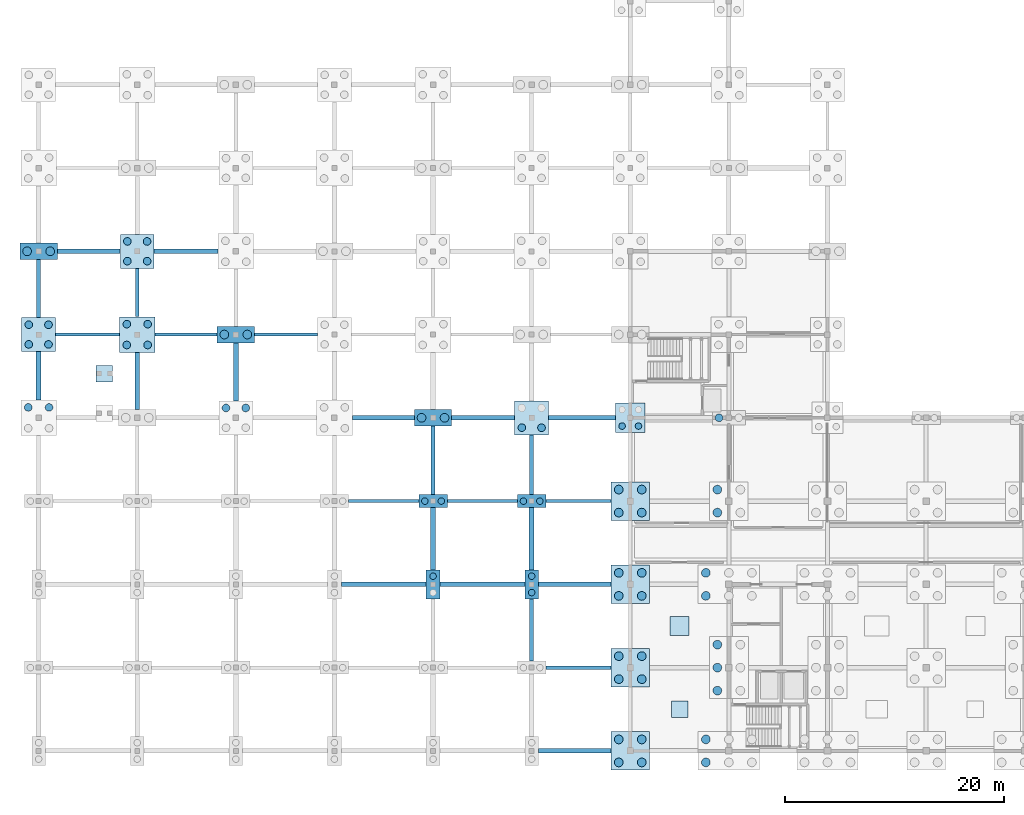
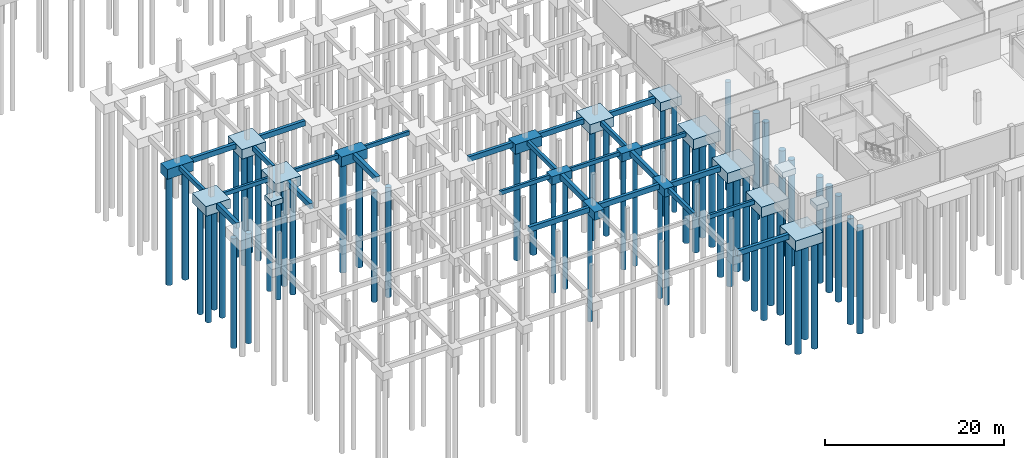
# One storey, part 2 of 28: 59 piles, 45 footings.
"""IFC4 building model written with IfcOpenShell, lengths in metres."""

from ifc_helpers import new_model, si_unit, direction, frame, origin, origin_2d, place, context, subcontext, project, spatial, rectangle, circle, extrude, material, layer, layer_set, material_profile, profile_set, type_object, element, save


model = new_model("IFC4")

# Units and contexts
model_context = context("Model", 3, precision=1e-05, world=origin(), true_north=direction((0.0, 1.0)))
body_context = subcontext(model_context, "Body", "Model", "MODEL_VIEW")
ifc_project = project(units=[si_unit("LENGTHUNIT", "METRE"), si_unit("AREAUNIT", "SQUARE_METRE"), si_unit("VOLUMEUNIT", "CUBIC_METRE"), si_unit("PLANEANGLEUNIT", "RADIAN"), si_unit("MASSUNIT", "GRAM", prefix="KILO")], contexts=[model_context])

# Site, building, storey
site_placement = place(None, origin())
site = spatial("IfcSite", under=ifc_project, at=site_placement, CompositionType="ELEMENT")
building_placement = place(site_placement, origin())
building = spatial("IfcBuilding", under=site, at=building_placement, Name="Caisbarro Railhouse Central Library", CompositionType="ELEMENT")
storey_placement = place(building_placement, frame((0.0, 0.0, -4.320068359375)))
storey = spatial("IfcBuildingStorey", under=building, at=storey_placement, Name="B01", CompositionType="ELEMENT", Elevation=-4.320068359375)

# Footings
ifc_material_1 = material(Name="Concrete C35", Category="concrete")
footing_type_1 = type_object("IfcFootingType", Name="FTG-FB01", PredefinedType="FOOTING_BEAM", material=ifc_material_1)
footing_1_placement = place(storey_placement, frame((0.0, 42.199951171875, -0.64990234375), z_axis=(0.0, 0.0, 1.0), x_axis=(0.0, 1.0, 0.0)))
element("IfcFooting", 1, at=footing_1_placement, inside=storey, type_object=footing_type_1, Name="FB01 ground tie beam 12", PredefinedType="FOOTING_BEAM", context=body_context, shape_type="SweptSolid", body=[
    extrude(rectangle(XDim=5.2958984375, YDim=0.35009765625, at=origin_2d()), origin(), (0.0, 0.0, 1.0), 0.64990234375),
])
footing_2_placement = place(storey_placement, frame((9.0, 41.83740234375, -0.64990234375), z_axis=(0.0, 0.0, 1.0), x_axis=(0.0, 1.0, 0.0)))
element("IfcFooting", 2, at=footing_2_placement, inside=storey, type_object=footing_type_1, Name="FB01 ground tie beam 36", PredefinedType="FOOTING_BEAM", context=body_context, shape_type="SweptSolid", body=[
    extrude(rectangle(XDim=4.4208984375, YDim=0.35009765625, at=origin_2d()), origin(), (0.0, 0.0, 1.0), 0.64990234375),
])
footing_3_placement = place(storey_placement, frame((36.0, 26.52490234375, -0.64990234375), z_axis=(0.0, 0.0, 1.0), x_axis=(0.0, 1.0, 0.0)))
element("IfcFooting", 3, at=footing_3_placement, inside=storey, type_object=footing_type_1, Name="FB01 ground tie beam 104", PredefinedType="FOOTING_BEAM", context=body_context, shape_type="SweptSolid", body=[
    extrude(rectangle(XDim=6.24609375, YDim=0.35009765625, at=origin_2d()), origin(), (0.0, 0.0, 1.0), 0.64990234375),
])
footing_4_placement = place(storey_placement, frame((45.0, 11.03759765625, -0.64990234375), z_axis=(0.0, 0.0, 1.0), x_axis=(0.0, 1.0, 0.0)))
element("IfcFooting", 4, at=footing_4_placement, inside=storey, type_object=footing_type_1, Name="FB01 ground tie beam 120", PredefinedType="FOOTING_BEAM", context=body_context, shape_type="SweptSolid", body=[
    extrude(rectangle(XDim=5.6708984375, YDim=0.35009765625, at=origin_2d()), origin(), (0.0, 0.0, 1.0), 0.64990234375),
])
footing_5_placement = place(storey_placement, frame((45.0, 26.125, -0.64990234375), z_axis=(0.0, 0.0, 1.0), x_axis=(0.0, 1.0, 0.0)))
element("IfcFooting", 5, at=footing_5_placement, inside=storey, type_object=footing_type_1, Name="FB01 ground tie beam 124", PredefinedType="FOOTING_BEAM", context=body_context, shape_type="SweptSolid", body=[
    extrude(rectangle(XDim=5.446044921875, YDim=0.35009765625, at=origin_2d()), origin(), (0.0, 0.0, 1.0), 0.64990234375),
])
footing_type_2 = type_object("IfcFootingType", Name="FTG-FB02", PredefinedType="FOOTING_BEAM", material=ifc_material_1)
footing_6_placement = place(storey_placement, frame((4.574951171875, 45.60009765625, -0.69970703125), z_axis=(0.0, 0.0, 1.0), x_axis=(1.0, 0.0, 0.0)))
element("IfcFooting", 6, at=footing_6_placement, inside=storey, type_object=footing_type_2, Name="FB02 ground tie beam 13", PredefinedType="FOOTING_BEAM", context=body_context, shape_type="SweptSolid", body=[
    extrude(rectangle(XDim=5.74609375, YDim=0.39990234375, at=origin_2d()), origin(), (0.0, 0.0, 1.0), 0.699951171875),
])
footing_7_placement = place(storey_placement, frame((13.46240234375, 45.60009765625, -0.69970703125), z_axis=(0.0, 0.0, 1.0), x_axis=(1.0, 0.0, 0.0)))
element("IfcFooting", 7, at=footing_7_placement, inside=storey, type_object=footing_type_2, Name="FB02 ground tie beam 37", PredefinedType="FOOTING_BEAM", context=body_context, shape_type="SweptSolid", body=[
    extrude(rectangle(XDim=5.821044921875, YDim=0.39990234375, at=origin_2d()), origin(), (0.0, 0.0, 1.0), 0.699951171875),
])
footing_8_placement = place(storey_placement, frame((31.5, 15.199951171875, -0.69970703125), z_axis=(0.0, 0.0, 1.0), x_axis=(1.0, 0.0, 0.0)))
element("IfcFooting", 8, at=footing_8_placement, inside=storey, type_object=footing_type_2, Name="FB02 ground tie beam 77", PredefinedType="FOOTING_BEAM", context=body_context, shape_type="SweptSolid", body=[
    extrude(rectangle(XDim=7.74609375, YDim=0.39990234375, at=origin_2d()), origin(), (0.0, 0.0, 1.0), 0.699951171875),
])
footing_9_placement = place(storey_placement, frame((31.46240234375, 30.39990234375, -0.69970703125), z_axis=(0.0, 0.0, 1.0), x_axis=(1.0, 0.0, 0.0)))
element("IfcFooting", 9, at=footing_9_placement, inside=storey, type_object=footing_type_2, Name="FB02 ground tie beam 81", PredefinedType="FOOTING_BEAM", context=body_context, shape_type="SweptSolid", body=[
    extrude(rectangle(XDim=5.6708984375, YDim=0.39990234375, at=origin_2d()), origin(), (0.0, 0.0, 1.0), 0.699951171875),
])
footing_10_placement = place(storey_placement, frame((40.5, 15.199951171875, -0.69970703125), z_axis=(0.0, 0.0, 1.0), x_axis=(1.0, 0.0, 0.0)))
element("IfcFooting", 10, at=footing_10_placement, inside=storey, type_object=footing_type_2, Name="FB02 ground tie beam 101", PredefinedType="FOOTING_BEAM", context=body_context, shape_type="SweptSolid", body=[
    extrude(rectangle(XDim=7.74609375, YDim=0.39990234375, at=origin_2d()), origin(), (0.0, 0.0, 1.0), 0.699951171875),
])
footing_11_placement = place(storey_placement, frame((40.574951171875, 30.39990234375, -0.69970703125), z_axis=(0.0, 0.0, 1.0), x_axis=(1.0, 0.0, 0.0)))
element("IfcFooting", 11, at=footing_11_placement, inside=storey, type_object=footing_type_2, Name="FB02 ground tie beam 105", PredefinedType="FOOTING_BEAM", context=body_context, shape_type="SweptSolid", body=[
    extrude(rectangle(XDim=5.74609375, YDim=0.39990234375, at=origin_2d()), origin(), (0.0, 0.0, 1.0), 0.699951171875),
])
for number, where, z_axis, x_axis, name in (
    (12, (48.9375, 0.0, -1.0498046875), (0.0, 0.0, 1.0), (1.0, 0.0, 0.0), "FB02 ground tie beam 117"),
    (13, (48.9375, 15.199951171875, -1.0498046875), (0.0, 0.0, 1.0), (1.0, 0.0, 0.0), "FB02 ground tie beam 121"),
):
    element("IfcFooting", number, at=place(storey_placement, frame(where, z_axis=z_axis, x_axis=x_axis)), inside=storey, type_object=footing_type_2, Name=name, PredefinedType="FOOTING_BEAM", context=body_context, shape_type="SweptSolid", body=[
        extrude(rectangle(XDim=6.62109375, YDim=0.39990234375, at=origin_2d()), origin(), (0.0, 0.0, 1.0), 0.699951171875),
    ])
footing_12_placement = place(storey_placement, frame((49.60009765625, 30.39990234375, -1.0498046875), z_axis=(0.0, 0.0, 1.0), x_axis=(1.0, 0.0, 0.0)))
element("IfcFooting", 14, at=footing_12_placement, inside=storey, type_object=footing_type_2, Name="FB02 ground tie beam 125", PredefinedType="FOOTING_BEAM", context=body_context, shape_type="SweptSolid", body=[
    extrude(rectangle(XDim=6.095947265625, YDim=0.39990234375, at=origin_2d()), origin(), (0.0, 0.0, 1.0), 0.699951171875),
])
footing_type_3 = type_object("IfcFootingType", Name="FTG-FB03", PredefinedType="FOOTING_BEAM", material=ifc_material_1)
footing_13_placement = place(storey_placement, frame((0.0, 34.237548828125, -0.75), z_axis=(0.0, 0.0, 1.0), x_axis=(0.0, 1.0, 0.0)))
element("IfcFooting", 15, at=footing_13_placement, inside=storey, type_object=footing_type_3, Name="FB03 ground tie beam 10", PredefinedType="FOOTING_BEAM", context=body_context, shape_type="SweptSolid", body=[
    extrude(rectangle(XDim=4.4208984375, YDim=0.449951171875, at=origin_2d()), origin(), (0.0, 0.0, 1.0), 0.75),
])
footing_14_placement = place(storey_placement, frame((9.0, 33.762451171875, -0.75), z_axis=(0.0, 0.0, 1.0), x_axis=(0.0, 1.0, 0.0)))
element("IfcFooting", 16, at=footing_14_placement, inside=storey, type_object=footing_type_3, Name="FB03 ground tie beam 34", PredefinedType="FOOTING_BEAM", context=body_context, shape_type="SweptSolid", body=[
    extrude(rectangle(XDim=5.220947265625, YDim=0.449951171875, at=origin_2d()), origin(), (0.0, 0.0, 1.0), 0.75),
])
footing_15_placement = place(storey_placement, frame((18.0, 34.60009765625, -0.75), z_axis=(0.0, 0.0, 1.0), x_axis=(0.0, 1.0, 0.0)))
element("IfcFooting", 17, at=footing_15_placement, inside=storey, type_object=footing_type_3, Name="FB03 ground tie beam 58", PredefinedType="FOOTING_BEAM", context=body_context, shape_type="SweptSolid", body=[
    extrude(rectangle(XDim=5.2958984375, YDim=0.449951171875, at=origin_2d()), origin(), (0.0, 0.0, 1.0), 0.75),
])
for number, where, z_axis, x_axis, name in (
    (18, (36.0, 19.362548828125, -0.75), (0.0, 0.0, 1.0), (0.0, 1.0, 0.0), "FB03 ground tie beam 102"),
    (19, (45.0, 19.362548828125, -0.75), (0.0, 0.0, 1.0), (0.0, 1.0, 0.0), "FB03 ground tie beam 122"),
):
    element("IfcFooting", number, at=place(storey_placement, frame(where, z_axis=z_axis, x_axis=x_axis)), inside=storey, type_object=footing_type_3, Name=name, PredefinedType="FOOTING_BEAM", context=body_context, shape_type="SweptSolid", body=[
        extrude(rectangle(XDim=5.6708984375, YDim=0.449951171875, at=origin_2d()), origin(), (0.0, 0.0, 1.0), 0.75),
    ])
footing_type_4 = type_object("IfcFootingType", Name="FTG-FB04", PredefinedType="FOOTING_BEAM", material=ifc_material_1)
footing_16_placement = place(storey_placement, frame((4.46240234375, 38.0, -0.5498046875), z_axis=(0.0, 0.0, 1.0), x_axis=(1.0, 0.0, 0.0)))
element("IfcFooting", 20, at=footing_16_placement, inside=storey, type_object=footing_type_4, Name="FB04 ground tie beam 11", PredefinedType="FOOTING_BEAM", context=body_context, shape_type="SweptSolid", body=[
    extrude(rectangle(XDim=5.821044921875, YDim=0.300048828125, at=origin_2d()), origin(), (0.0, 0.0, 1.0), 0.550048828125),
])
footing_17_placement = place(storey_placement, frame((13.46240234375, 38.0, -0.5498046875), z_axis=(0.0, 0.0, 1.0), x_axis=(1.0, 0.0, 0.0)))
element("IfcFooting", 21, at=footing_17_placement, inside=storey, type_object=footing_type_4, Name="FB04 ground tie beam 35", PredefinedType="FOOTING_BEAM", context=body_context, shape_type="SweptSolid", body=[
    extrude(rectangle(XDim=5.6708984375, YDim=0.300048828125, at=origin_2d()), origin(), (0.0, 0.0, 1.0), 0.550048828125),
])
footing_18_placement = place(storey_placement, frame((22.574951171875, 38.0, -0.5498046875), z_axis=(0.0, 0.0, 1.0), x_axis=(1.0, 0.0, 0.0)))
element("IfcFooting", 22, at=footing_18_placement, inside=storey, type_object=footing_type_4, Name="FB04 ground tie beam 59", PredefinedType="FOOTING_BEAM", context=body_context, shape_type="SweptSolid", body=[
    extrude(rectangle(XDim=5.74609375, YDim=0.300048828125, at=origin_2d()), origin(), (0.0, 0.0, 1.0), 0.550048828125),
])
for number, where, z_axis, x_axis, name in (
    (23, (31.5, 22.800048828125, -0.5498046875), (0.0, 0.0, 1.0), (1.0, 0.0, 0.0), "FB04 ground tie beam 79"),
    (24, (40.5, 22.800048828125, -0.5498046875), (0.0, 0.0, 1.0), (1.0, 0.0, 0.0), "FB04 ground tie beam 103"),
):
    element("IfcFooting", number, at=place(storey_placement, frame(where, z_axis=z_axis, x_axis=x_axis)), inside=storey, type_object=footing_type_4, Name=name, PredefinedType="FOOTING_BEAM", context=body_context, shape_type="SweptSolid", body=[
        extrude(rectangle(XDim=6.39599609375, YDim=0.300048828125, at=origin_2d()), origin(), (0.0, 0.0, 1.0), 0.550048828125),
    ])
for number, where, z_axis, x_axis, name in (
    (25, (49.27490234375, 7.60009765625, -0.89990234375), (0.0, 0.0, 1.0), (1.0, 0.0, 0.0), "FB04 ground tie beam 119"),
    (26, (49.27490234375, 22.800048828125, -0.89990234375), (0.0, 0.0, 1.0), (1.0, 0.0, 0.0), "FB04 ground tie beam 123"),
):
    element("IfcFooting", number, at=place(storey_placement, frame(where, z_axis=z_axis, x_axis=x_axis)), inside=storey, type_object=footing_type_4, Name=name, PredefinedType="FOOTING_BEAM", context=body_context, shape_type="SweptSolid", body=[
        extrude(rectangle(XDim=5.946044921875, YDim=0.300048828125, at=origin_2d()), origin(), (0.0, 0.0, 1.0), 0.550048828125),
    ])
ifc_material_2 = material(Name="Concrete C40", Category="concrete")
ifc_layer_1 = layer(ifc_material_2, 1.10009765625, Name="Concrete C40")
ifc_layer_set_1 = layer_set([ifc_layer_1], Name="Concrete C40")
footing_type_5 = type_object("IfcFootingType", Name="FTG-PC02", PredefinedType="PILE_CAP", material=ifc_layer_set_1)
for number, where, z_axis, x_axis, name in (
    (27, (36.0, 22.800048828125, -1.10009765625), (0.0, 0.0, 1.0), (1.0, 0.0, 0.0), "PC02 pile cap (60)"),
    (28, (45.0, 22.800048828125, -1.10009765625), (0.0, 0.0, 1.0), (1.0, 0.0, 0.0), "PC02 pile cap (74)"),
):
    element("IfcFooting", number, at=place(storey_placement, frame(where, z_axis=z_axis, x_axis=x_axis)), inside=storey, type_object=footing_type_5, Name=name, PredefinedType="PILE_CAP", context=body_context, shape_type="SweptSolid", body=[
        extrude(rectangle(XDim=2.60009765625, YDim=1.199951171875, at=origin_2d()), origin(), (0.0, 0.0, 1.0), 1.10009765625),
    ])
ifc_layer_2 = layer(ifc_material_2, 1.1201171875, Name="Concrete C40")
ifc_layer_set_2 = layer_set([ifc_layer_2], Name="Concrete C40")
footing_type_6 = type_object("IfcFootingType", Name="FTG-PC03", PredefinedType="PILE_CAP", material=ifc_layer_set_2)
for number, where, z_axis, x_axis, name in (
    (29, (36.0, 15.199951171875, -1.119873046875), (0.0, 0.0, 1.0), (1.0, 0.0, 0.0), "PC03 pile cap (59)"),
    (30, (45.0, 15.199951171875, -1.119873046875), (0.0, 0.0, 1.0), (1.0, 0.0, 0.0), "PC03 pile cap (73)"),
):
    element("IfcFooting", number, at=place(storey_placement, frame(where, z_axis=z_axis, x_axis=x_axis)), inside=storey, type_object=footing_type_6, Name=name, PredefinedType="PILE_CAP", context=body_context, shape_type="SweptSolid", body=[
        extrude(rectangle(XDim=1.25, YDim=2.64990234375, at=origin_2d()), origin(), (0.0, 0.0, 1.0), 1.1201171875),
    ])
ifc_layer_3 = layer(ifc_material_2, 1.199951171875, Name="Concrete C40")
ifc_layer_set_3 = layer_set([ifc_layer_3], Name="Concrete C40")
footing_type_7 = type_object("IfcFootingType", Name="FTG-PC04", PredefinedType="PILE_CAP", material=ifc_layer_set_3)
footing_19_placement = place(storey_placement, frame((54.0, 30.39990234375, -1.5498046875), z_axis=(0.0, 0.0, 1.0), x_axis=(1.0, 0.0, 0.0)))
element("IfcFooting", 31, at=footing_19_placement, inside=storey, type_object=footing_type_7, Name="PC04 pile cap (84)", PredefinedType="PILE_CAP", context=body_context, shape_type="SweptSolid", body=[
    extrude(rectangle(XDim=2.699951171875, YDim=2.699951171875, at=origin_2d()), origin(), (0.0, 0.0, 1.0), 1.199951171875),
])
ifc_layer_4 = layer(ifc_material_2, 1.300048828125, Name="Concrete C40")
ifc_layer_set_4 = layer_set([ifc_layer_4], Name="Concrete C40")
footing_type_8 = type_object("IfcFootingType", Name="FTG-PC06", PredefinedType="PILE_CAP", material=ifc_layer_set_4)
for number, where, z_axis, x_axis, name in (
    (32, (0.0, 38.0, -1.2998046875), (0.0, 0.0, 1.0), (1.0, 0.0, 0.0), "PC06 pile cap (6)"),
    (33, (9.0, 45.60009765625, -1.2998046875), (0.0, 0.0, 1.0), (1.0, 0.0, 0.0), "PC06 pile cap (21)"),
    (34, (45.0, 30.39990234375, -1.2998046875), (0.0, 0.0, 1.0), (1.0, 0.0, 0.0), "PC06 pile cap (75)"),
):
    element("IfcFooting", number, at=place(storey_placement, frame(where, z_axis=z_axis, x_axis=x_axis)), inside=storey, type_object=footing_type_8, Name=name, PredefinedType="PILE_CAP", context=body_context, shape_type="SweptSolid", body=[
        extrude(rectangle(XDim=3.10009765625, YDim=3.10009765625, at=origin_2d()), origin(), (0.0, 0.0, 1.0), 1.300048828125),
    ])
ifc_layer_5 = layer(ifc_material_2, 1.320068359375, Name="Concrete C40")
ifc_layer_set_5 = layer_set([ifc_layer_5], Name="Concrete C40")
footing_type_9 = type_object("IfcFootingType", Name="FTG-PC07", PredefinedType="PILE_CAP", material=ifc_layer_set_5)
for number, where, z_axis, x_axis, name in (
    (35, (0.0, 45.60009765625, -1.31982421875), (0.0, 0.0, 1.0), (1.0, 0.0, 0.0), "PC07 pile cap (7)"),
    (36, (18.0, 38.0, -1.31982421875), (0.0, 0.0, 1.0), (1.0, 0.0, 0.0), "PC07 pile cap (34)"),
    (37, (36.0, 30.39990234375, -1.31982421875), (0.0, 0.0, 1.0), (1.0, 0.0, 0.0), "PC07 pile cap (61)"),
):
    element("IfcFooting", number, at=place(storey_placement, frame(where, z_axis=z_axis, x_axis=x_axis)), inside=storey, type_object=footing_type_9, Name=name, PredefinedType="PILE_CAP", context=body_context, shape_type="SweptSolid", body=[
        extrude(rectangle(XDim=3.39990234375, YDim=1.5, at=origin_2d()), origin(), (0.0, 0.0, 1.0), 1.320068359375),
    ])
ifc_layer_6 = layer(ifc_material_2, 1.39990234375, Name="Concrete C40")
ifc_layer_set_6 = layer_set([ifc_layer_6], Name="Concrete C40")
footing_type_10 = type_object("IfcFootingType", Name="FTG-PC08", PredefinedType="PILE_CAP", material=ifc_layer_set_6)
for number, where, z_axis, x_axis, name in (
    (38, (54.0, 0.0, -1.75), (0.0, 0.0, 1.0), (1.0, 0.0, 0.0), "PC08 pile cap (80)"),
    (39, (54.0, 7.60009765625, -1.75), (0.0, 0.0, 1.0), (1.0, 0.0, 0.0), "PC08 pile cap (81)"),
    (40, (54.0, 15.199951171875, -1.75), (0.0, 0.0, 1.0), (1.0, 0.0, 0.0), "PC08 pile cap (82)"),
    (41, (54.0, 22.800048828125, -1.75), (0.0, 0.0, 1.0), (1.0, 0.0, 0.0), "PC08 pile cap (83)"),
):
    element("IfcFooting", number, at=place(storey_placement, frame(where, z_axis=z_axis, x_axis=x_axis)), inside=storey, type_object=footing_type_10, Name=name, PredefinedType="PILE_CAP", context=body_context, shape_type="SweptSolid", body=[
        extrude(rectangle(XDim=3.5, YDim=3.5, at=origin_2d()), origin(), (0.0, 0.0, 1.0), 1.39990234375),
    ])
ifc_layer_7 = layer(ifc_material_2, 1.340087890625, Name="Concrete C40")
ifc_layer_set_7 = layer_set([ifc_layer_7], Name="Concrete C40")
footing_type_11 = type_object("IfcFootingType", Name="FTG-PC14", PredefinedType="PILE_CAP", material=ifc_layer_set_7)
footing_20_placement = place(storey_placement, frame((9.0, 38.0, -1.33984375), z_axis=(0.0, 0.0, 1.0), x_axis=(1.0, 0.0, 0.0)))
element("IfcFooting", 42, at=footing_20_placement, inside=storey, type_object=footing_type_11, Name="PC14 pile cap (20)", PredefinedType="PILE_CAP", context=body_context, shape_type="SweptSolid", body=[
    extrude(rectangle(XDim=3.25, YDim=3.25, at=origin_2d()), origin(), (0.0, 0.0, 1.0), 1.340087890625),
])
ifc_layer_8 = layer(ifc_material_2, 0.699951171875, Name="Concrete C40")
ifc_layer_set_8 = layer_set([ifc_layer_8], Name="Concrete C40")
footing_type_12 = type_object("IfcFootingType", Name="FTG-PF01", PredefinedType="PAD_FOOTING", material=ifc_layer_set_8)
for number, where, z_axis, x_axis, name in (
    (43, (58.5, 3.800048828125, -1.0498046875), (0.0, 0.0, 1.0), (1.0, 0.0, 0.0), "PF01 equipment pad footing 1"),
    (44, (6.0, 34.429931640625, -0.69970703125), (0.0, 0.0, 1.0), (1.0, 0.0, 0.0), "PF01 Stair Support Pad Footing K6 N"),
):
    element("IfcFooting", number, at=place(storey_placement, frame(where, z_axis=z_axis, x_axis=x_axis)), inside=storey, type_object=footing_type_12, Name=name, PredefinedType="PAD_FOOTING", context=body_context, shape_type="SweptSolid", body=[
        extrude(rectangle(XDim=1.5, YDim=1.5, at=origin_2d()), origin(), (0.0, 0.0, 1.0), 0.699951171875),
    ])
ifc_layer_9 = layer(ifc_material_2, 0.800048828125, Name="Concrete C40")
ifc_layer_set_9 = layer_set([ifc_layer_9], Name="Concrete C40")
footing_type_13 = type_object("IfcFootingType", Name="FTG-PF02", PredefinedType="PAD_FOOTING", material=ifc_layer_set_9)
footing_21_placement = place(storey_placement, frame((58.5, 11.39990234375, -1.14990234375), z_axis=(0.0, 0.0, 1.0), x_axis=(1.0, 0.0, 0.0)))
element("IfcFooting", 45, at=footing_21_placement, inside=storey, type_object=footing_type_13, Name="PF02 equipment pad footing 2", PredefinedType="PAD_FOOTING", context=body_context, shape_type="SweptSolid", body=[
    extrude(rectangle(XDim=1.75, YDim=1.75, at=origin_2d()), origin(), (0.0, 0.0, 1.0), 0.800048828125),
])

# Piles
ifc_material_profile_1 = material_profile(ifc_material_1, circle(Radius=0.300048828125, at=origin_2d()), Name="PILE-CFA-600")
ifc_profile_set_1 = profile_set([ifc_material_profile_1], Name="Concrete C35")
pile_type_1 = type_object("IfcPileType", Name="PILE-CFA600", PredefinedType="BORED", material=ifc_profile_set_1)
pile_1_placement = place(storey_placement, frame((36.0, 15.949951171875, -1.02001953125), z_axis=(0.0, 0.0, -1.0), x_axis=(1.0, 0.0, 0.0)))
element("IfcPile", 46, at=pile_1_placement, inside=storey, type_object=pile_type_1, Name="PL60 CFA bored pile 59.2", PredefinedType="BORED", context=body_context, shape_type="SweptSolid", body=[
    extrude(circle(Radius=0.300048828125, at=origin_2d()), origin(), (0.0, 0.0, 1.0), 15.159912109375),
])
for number, where, z_axis, x_axis, name in (
    (47, (35.25, 22.800048828125, -1.0), (0.0, 0.0, -1.0), (1.0, 0.0, 0.0), "PL60 CFA bored pile 60.1"),
    (48, (36.75, 22.800048828125, -1.0), (0.0, 0.0, -1.0), (1.0, 0.0, 0.0), "PL60 CFA bored pile 60.2"),
):
    element("IfcPile", number, at=place(storey_placement, frame(where, z_axis=z_axis, x_axis=x_axis)), inside=storey, type_object=pile_type_1, Name=name, PredefinedType="BORED", context=body_context, shape_type="SweptSolid", body=[
        extrude(circle(Radius=0.300048828125, at=origin_2d()), origin(), (0.0, 0.0, 1.0), 15.179931640625),
    ])
for number, where, z_axis, x_axis, name in (
    (49, (45.0, 14.449951171875, -1.02001953125), (0.0, 0.0, -1.0), (1.0, 0.0, 0.0), "PL60 CFA bored pile 73.1"),
    (50, (45.0, 15.949951171875, -1.02001953125), (0.0, 0.0, -1.0), (1.0, 0.0, 0.0), "PL60 CFA bored pile 73.2"),
):
    element("IfcPile", number, at=place(storey_placement, frame(where, z_axis=z_axis, x_axis=x_axis)), inside=storey, type_object=pile_type_1, Name=name, PredefinedType="BORED", context=body_context, shape_type="SweptSolid", body=[
        extrude(circle(Radius=0.300048828125, at=origin_2d()), origin(), (0.0, 0.0, 1.0), 15.159912109375),
    ])
for number, where, z_axis, x_axis, name in (
    (51, (44.25, 22.800048828125, -1.0), (0.0, 0.0, -1.0), (1.0, 0.0, 0.0), "PL60 CFA bored pile 74.1"),
    (52, (45.75, 22.800048828125, -1.0), (0.0, 0.0, -1.0), (1.0, 0.0, 0.0), "PL60 CFA bored pile 74.2"),
):
    element("IfcPile", number, at=place(storey_placement, frame(where, z_axis=z_axis, x_axis=x_axis)), inside=storey, type_object=pile_type_1, Name=name, PredefinedType="BORED", context=body_context, shape_type="SweptSolid", body=[
        extrude(circle(Radius=0.300048828125, at=origin_2d()), origin(), (0.0, 0.0, 1.0), 15.179931640625),
    ])
for number, where, z_axis, x_axis, name in (
    (53, (53.25, 29.64990234375, -1.449951171875), (0.0, 0.0, -1.0), (1.0, 0.0, 0.0), "PL60 CFA bored pile 84.1"),
    (54, (54.75, 29.64990234375, -1.449951171875), (0.0, 0.0, -1.0), (1.0, 0.0, 0.0), "PL60 CFA bored pile 84.2"),
):
    element("IfcPile", number, at=place(storey_placement, frame(where, z_axis=z_axis, x_axis=x_axis)), inside=storey, type_object=pile_type_1, Name=name, PredefinedType="BORED", context=body_context, shape_type="SweptSolid", body=[
        extrude(circle(Radius=0.300048828125, at=origin_2d()), origin(), (0.0, 0.0, 1.0), 14.72998046875),
    ])
ifc_material_profile_2 = material_profile(ifc_material_1, circle(Radius=0.35009765625, at=origin_2d()), Name="PILE-CFA-700")
ifc_profile_set_2 = profile_set([ifc_material_profile_2], Name="Concrete C35")
pile_type_2 = type_object("IfcPileType", Name="PILE-CFA700", PredefinedType="BORED", material=ifc_profile_set_2)
for number, where, z_axis, x_axis, name in (
    (55, (-0.949951171875, 31.35009765625, -1.239990234375), (0.0, 0.0, -1.0), (1.0, 0.0, 0.0), "PL70 CFA bored pile 5.3"),
    (56, (0.949951171875, 31.35009765625, -1.239990234375), (0.0, 0.0, -1.0), (1.0, 0.0, 0.0), "PL70 CFA bored pile 5.4"),
):
    element("IfcPile", number, at=place(storey_placement, frame(where, z_axis=z_axis, x_axis=x_axis)), inside=storey, type_object=pile_type_2, Name=name, PredefinedType="BORED", context=body_context, shape_type="SweptSolid", body=[
        extrude(circle(Radius=0.35009765625, at=origin_2d()), origin(), (0.0, 0.0, 1.0), 14.93994140625),
    ])
for number, where, z_axis, x_axis, name in (
    (57, (-0.89990234375, 37.10009765625, -1.199951171875), (0.0, 0.0, -1.0), (1.0, 0.0, 0.0), "PL70 CFA bored pile 6.1"),
    (58, (0.89990234375, 37.10009765625, -1.199951171875), (0.0, 0.0, -1.0), (1.0, 0.0, 0.0), "PL70 CFA bored pile 6.2"),
    (59, (-0.89990234375, 38.89990234375, -1.199951171875), (0.0, 0.0, -1.0), (1.0, 0.0, 0.0), "PL70 CFA bored pile 6.3"),
    (60, (0.89990234375, 38.89990234375, -1.199951171875), (0.0, 0.0, -1.0), (1.0, 0.0, 0.0), "PL70 CFA bored pile 6.4"),
):
    element("IfcPile", number, at=place(storey_placement, frame(where, z_axis=z_axis, x_axis=x_axis)), inside=storey, type_object=pile_type_2, Name=name, PredefinedType="BORED", context=body_context, shape_type="SweptSolid", body=[
        extrude(circle(Radius=0.35009765625, at=origin_2d()), origin(), (0.0, 0.0, 1.0), 14.97998046875),
    ])
for number, where, z_axis, x_axis, name in (
    (61, (8.050048828125, 37.050048828125, -1.239990234375), (0.0, 0.0, -1.0), (1.0, 0.0, 0.0), "PL70 CFA bored pile 20.1"),
    (62, (9.949951171875, 37.050048828125, -1.239990234375), (0.0, 0.0, -1.0), (1.0, 0.0, 0.0), "PL70 CFA bored pile 20.2"),
    (63, (8.050048828125, 38.949951171875, -1.239990234375), (0.0, 0.0, -1.0), (1.0, 0.0, 0.0), "PL70 CFA bored pile 20.3"),
    (64, (9.949951171875, 38.949951171875, -1.239990234375), (0.0, 0.0, -1.0), (1.0, 0.0, 0.0), "PL70 CFA bored pile 20.4"),
):
    element("IfcPile", number, at=place(storey_placement, frame(where, z_axis=z_axis, x_axis=x_axis)), inside=storey, type_object=pile_type_2, Name=name, PredefinedType="BORED", context=body_context, shape_type="SweptSolid", body=[
        extrude(circle(Radius=0.35009765625, at=origin_2d()), origin(), (0.0, 0.0, 1.0), 14.93994140625),
    ])
for number, where, z_axis, x_axis, name in (
    (65, (8.10009765625, 44.699951171875, -1.199951171875), (0.0, 0.0, -1.0), (1.0, 0.0, 0.0), "PL70 CFA bored pile 21.1"),
    (66, (9.89990234375, 44.699951171875, -1.199951171875), (0.0, 0.0, -1.0), (1.0, 0.0, 0.0), "PL70 CFA bored pile 21.2"),
    (67, (8.10009765625, 46.5, -1.199951171875), (0.0, 0.0, -1.0), (1.0, 0.0, 0.0), "PL70 CFA bored pile 21.3"),
    (68, (9.89990234375, 46.5, -1.199951171875), (0.0, 0.0, -1.0), (1.0, 0.0, 0.0), "PL70 CFA bored pile 21.4"),
    (69, (17.10009765625, 31.300048828125, -1.199951171875), (0.0, 0.0, -1.0), (1.0, 0.0, 0.0), "PL70 CFA bored pile 33.3"),
    (70, (18.89990234375, 31.300048828125, -1.199951171875), (0.0, 0.0, -1.0), (1.0, 0.0, 0.0), "PL70 CFA bored pile 33.4"),
    (71, (44.10009765625, 29.5, -1.199951171875), (0.0, 0.0, -1.0), (1.0, 0.0, 0.0), "PL70 CFA bored pile 75.1"),
    (72, (45.89990234375, 29.5, -1.199951171875), (0.0, 0.0, -1.0), (1.0, 0.0, 0.0), "PL70 CFA bored pile 75.2"),
):
    element("IfcPile", number, at=place(storey_placement, frame(where, z_axis=z_axis, x_axis=x_axis)), inside=storey, type_object=pile_type_2, Name=name, PredefinedType="BORED", context=body_context, shape_type="SweptSolid", body=[
        extrude(circle(Radius=0.35009765625, at=origin_2d()), origin(), (0.0, 0.0, 1.0), 14.97998046875),
    ])
pile_2_placement = place(storey_placement, frame((62.10009765625, 30.39990234375, -1.469970703125), z_axis=(0.0, 0.0, -1.0), x_axis=(1.0, 0.0, 0.0)))
element("IfcPile", 73, at=pile_2_placement, inside=storey, type_object=pile_type_2, Name="PL70 CFA bored pile 100.1", PredefinedType="BORED", context=body_context, shape_type="SweptSolid", body=[
    extrude(circle(Radius=0.35009765625, at=origin_2d()), origin(), (0.0, 0.0, 1.0), 14.7099609375),
])
ifc_material_profile_3 = material_profile(ifc_material_1, circle(Radius=0.39990234375, at=origin_2d()), Name="PILE-CFA-800")
ifc_profile_set_3 = profile_set([ifc_material_profile_3], Name="Concrete C35")
pile_type_3 = type_object("IfcPileType", Name="PILE-CFA800", PredefinedType="BORED", material=ifc_profile_set_3)
for number, where, z_axis, x_axis, name in (
    (74, (-1.050048828125, 45.60009765625, -1.219970703125), (0.0, 0.0, -1.0), (1.0, 0.0, 0.0), "PL80 CFA bored pile 7.1"),
    (75, (1.050048828125, 45.60009765625, -1.219970703125), (0.0, 0.0, -1.0), (1.0, 0.0, 0.0), "PL80 CFA bored pile 7.2"),
    (76, (16.949951171875, 38.0, -1.219970703125), (0.0, 0.0, -1.0), (1.0, 0.0, 0.0), "PL80 CFA bored pile 34.1"),
    (77, (19.050048828125, 38.0, -1.219970703125), (0.0, 0.0, -1.0), (1.0, 0.0, 0.0), "PL80 CFA bored pile 34.2"),
    (78, (34.949951171875, 30.39990234375, -1.219970703125), (0.0, 0.0, -1.0), (1.0, 0.0, 0.0), "PL80 CFA bored pile 61.1"),
    (79, (37.050048828125, 30.39990234375, -1.219970703125), (0.0, 0.0, -1.0), (1.0, 0.0, 0.0), "PL80 CFA bored pile 61.2"),
):
    element("IfcPile", number, at=place(storey_placement, frame(where, z_axis=z_axis, x_axis=x_axis)), inside=storey, type_object=pile_type_3, Name=name, PredefinedType="BORED", context=body_context, shape_type="SweptSolid", body=[
        extrude(circle(Radius=0.39990234375, at=origin_2d()), origin(), (0.0, 0.0, 1.0), 14.9599609375),
    ])
for number, where, z_axis, x_axis, name in (
    (80, (52.949951171875, -1.050048828125, -1.64990234375), (0.0, 0.0, -1.0), (1.0, 0.0, 0.0), "PL80 CFA bored pile 80.1"),
    (81, (55.050048828125, -1.050048828125, -1.64990234375), (0.0, 0.0, -1.0), (1.0, 0.0, 0.0), "PL80 CFA bored pile 80.2"),
    (82, (52.949951171875, 1.050048828125, -1.64990234375), (0.0, 0.0, -1.0), (1.0, 0.0, 0.0), "PL80 CFA bored pile 80.3"),
    (83, (55.050048828125, 1.050048828125, -1.64990234375), (0.0, 0.0, -1.0), (1.0, 0.0, 0.0), "PL80 CFA bored pile 80.4"),
    (84, (52.949951171875, 6.550048828125, -1.64990234375), (0.0, 0.0, -1.0), (1.0, 0.0, 0.0), "PL80 CFA bored pile 81.1"),
    (85, (55.050048828125, 6.550048828125, -1.64990234375), (0.0, 0.0, -1.0), (1.0, 0.0, 0.0), "PL80 CFA bored pile 81.2"),
    (86, (52.949951171875, 8.64990234375, -1.64990234375), (0.0, 0.0, -1.0), (1.0, 0.0, 0.0), "PL80 CFA bored pile 81.3"),
    (87, (55.050048828125, 8.64990234375, -1.64990234375), (0.0, 0.0, -1.0), (1.0, 0.0, 0.0), "PL80 CFA bored pile 81.4"),
    (88, (52.949951171875, 14.14990234375, -1.64990234375), (0.0, 0.0, -1.0), (1.0, 0.0, 0.0), "PL80 CFA bored pile 82.1"),
    (89, (55.050048828125, 14.14990234375, -1.64990234375), (0.0, 0.0, -1.0), (1.0, 0.0, 0.0), "PL80 CFA bored pile 82.2"),
    (90, (52.949951171875, 16.25, -1.64990234375), (0.0, 0.0, -1.0), (1.0, 0.0, 0.0), "PL80 CFA bored pile 82.3"),
    (91, (55.050048828125, 16.25, -1.64990234375), (0.0, 0.0, -1.0), (1.0, 0.0, 0.0), "PL80 CFA bored pile 82.4"),
    (92, (52.949951171875, 21.75, -1.64990234375), (0.0, 0.0, -1.0), (1.0, 0.0, 0.0), "PL80 CFA bored pile 83.1"),
    (93, (55.050048828125, 21.75, -1.64990234375), (0.0, 0.0, -1.0), (1.0, 0.0, 0.0), "PL80 CFA bored pile 83.2"),
    (94, (52.949951171875, 23.85009765625, -1.64990234375), (0.0, 0.0, -1.0), (1.0, 0.0, 0.0), "PL80 CFA bored pile 83.3"),
    (95, (55.050048828125, 23.85009765625, -1.64990234375), (0.0, 0.0, -1.0), (1.0, 0.0, 0.0), "PL80 CFA bored pile 83.4"),
):
    element("IfcPile", number, at=place(storey_placement, frame(where, z_axis=z_axis, x_axis=x_axis)), inside=storey, type_object=pile_type_3, Name=name, PredefinedType="BORED", context=body_context, shape_type="SweptSolid", body=[
        extrude(circle(Radius=0.39990234375, at=origin_2d()), origin(), (0.0, 0.0, 1.0), 14.530029296875),
    ])
for number, where, z_axis, x_axis, name in (
    (96, (60.89990234375, -1.050048828125, -1.75), (0.0, 0.0, -1.0), (1.0, 0.0, 0.0), "PL80 CFA bored pile 96.1"),
    (97, (60.89990234375, 1.050048828125, -1.75), (0.0, 0.0, -1.0), (1.0, 0.0, 0.0), "PL80 CFA bored pile 96.4"),
):
    element("IfcPile", number, at=place(storey_placement, frame(where, z_axis=z_axis, x_axis=x_axis)), inside=storey, type_object=pile_type_3, Name=name, PredefinedType="BORED", context=body_context, shape_type="SweptSolid", body=[
        extrude(circle(Radius=0.39990234375, at=origin_2d()), origin(), (0.0, 0.0, 1.0), 14.429931640625),
    ])
for number, where, z_axis, x_axis, name in (
    (98, (61.949951171875, 5.5, -1.77001953125), (0.0, 0.0, -1.0), (1.0, 0.0, 0.0), "PL80 CFA bored pile 97.1"),
    (99, (61.949951171875, 7.60009765625, -1.77001953125), (0.0, 0.0, -1.0), (1.0, 0.0, 0.0), "PL80 CFA bored pile 97.3"),
    (100, (61.949951171875, 9.699951171875, -1.77001953125), (0.0, 0.0, -1.0), (1.0, 0.0, 0.0), "PL80 CFA bored pile 97.5"),
):
    element("IfcPile", number, at=place(storey_placement, frame(where, z_axis=z_axis, x_axis=x_axis)), inside=storey, type_object=pile_type_3, Name=name, PredefinedType="BORED", context=body_context, shape_type="SweptSolid", body=[
        extrude(circle(Radius=0.39990234375, at=origin_2d()), origin(), (0.0, 0.0, 1.0), 14.409912109375),
    ])
for number, where, z_axis, x_axis, name in (
    (101, (60.89990234375, 14.14990234375, -1.75), (0.0, 0.0, -1.0), (1.0, 0.0, 0.0), "PL80 CFA bored pile 98.1"),
    (102, (60.89990234375, 16.25, -1.75), (0.0, 0.0, -1.0), (1.0, 0.0, 0.0), "PL80 CFA bored pile 98.4"),
):
    element("IfcPile", number, at=place(storey_placement, frame(where, z_axis=z_axis, x_axis=x_axis)), inside=storey, type_object=pile_type_3, Name=name, PredefinedType="BORED", context=body_context, shape_type="SweptSolid", body=[
        extrude(circle(Radius=0.39990234375, at=origin_2d()), origin(), (0.0, 0.0, 1.0), 14.429931640625),
    ])
for number, where, z_axis, x_axis, name in (
    (103, (61.949951171875, 21.75, -1.64990234375), (0.0, 0.0, -1.0), (1.0, 0.0, 0.0), "PL80 CFA bored pile 99.1"),
    (104, (61.949951171875, 23.85009765625, -1.64990234375), (0.0, 0.0, -1.0), (1.0, 0.0, 0.0), "PL80 CFA bored pile 99.3"),
):
    element("IfcPile", number, at=place(storey_placement, frame(where, z_axis=z_axis, x_axis=x_axis)), inside=storey, type_object=pile_type_3, Name=name, PredefinedType="BORED", context=body_context, shape_type="SweptSolid", body=[
        extrude(circle(Radius=0.39990234375, at=origin_2d()), origin(), (0.0, 0.0, 1.0), 14.530029296875),
    ])

save(model, "model.ifc")
